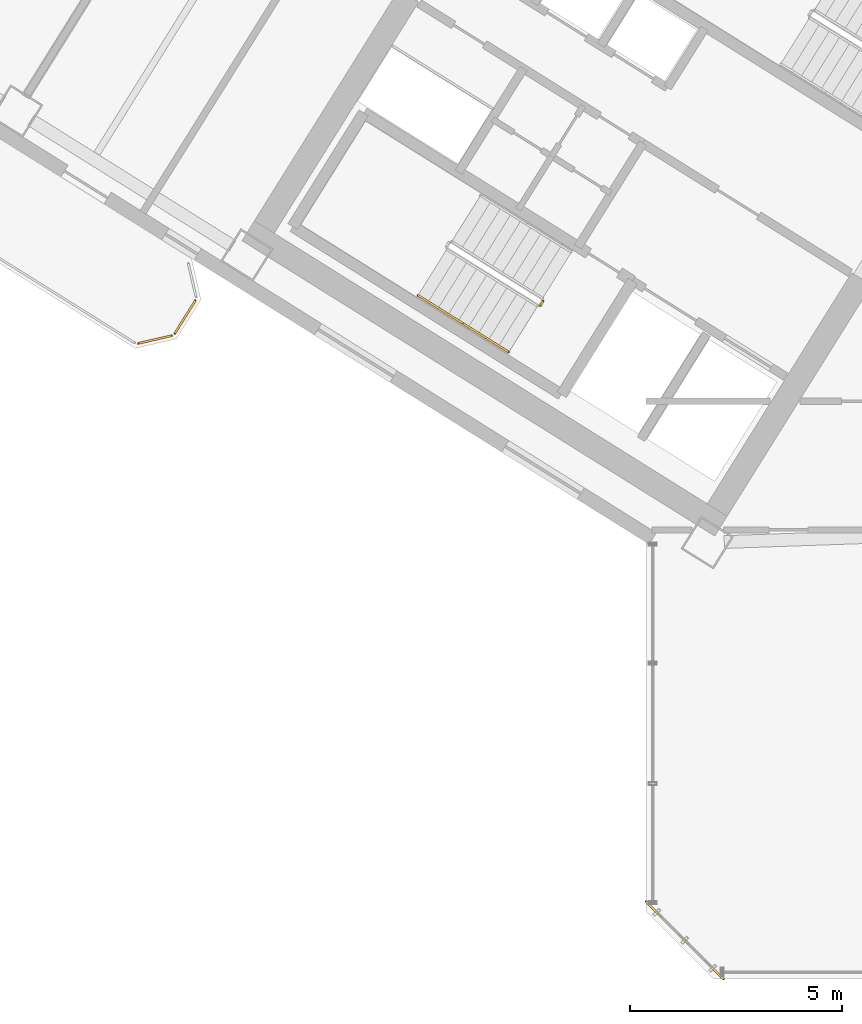
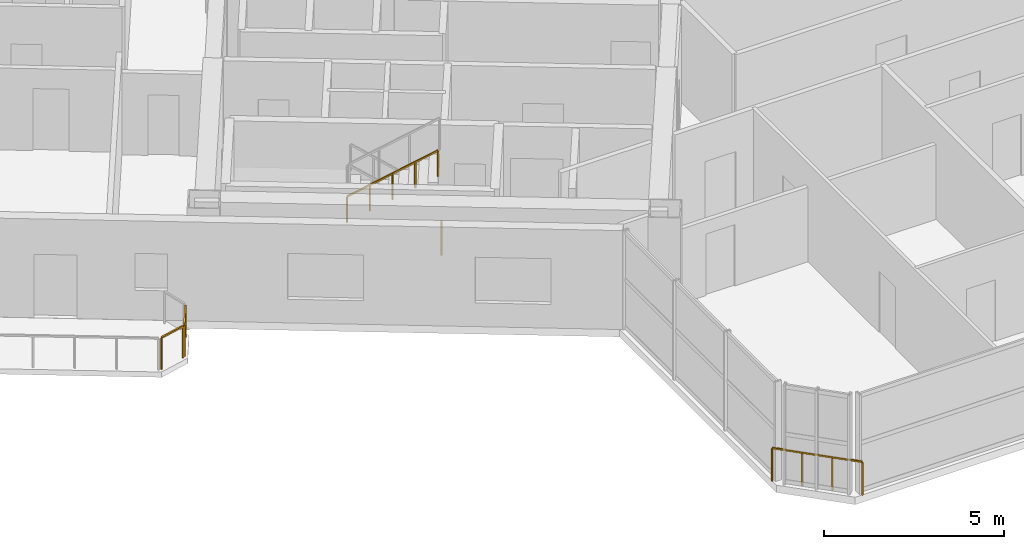
# One storey, part 17 of 20: 6 railings.
"""IFC4 building model written with IfcOpenShell, lengths in metres."""

from ifc_helpers import new_model, si_unit, direction, frame, origin, origin_2d, place, context, subcontext, project, spatial, rectangle, extrude, source, transform, mapped, material, type_object, element, save


model = new_model("IFC4")

# Units and contexts
model_context = context("Model", 3, precision=1e-05, world=origin(), true_north=direction((0.0, 1.0)))
body_context = subcontext(model_context, "Body", "Model", "MODEL_VIEW")
ifc_project = project(units=[si_unit("LENGTHUNIT", "METRE"), si_unit("AREAUNIT", "SQUARE_METRE"), si_unit("VOLUMEUNIT", "CUBIC_METRE"), si_unit("PLANEANGLEUNIT", "RADIAN"), si_unit("MASSUNIT", "GRAM", prefix="KILO")], contexts=[model_context])

# Site, building, storey
site_placement = place(None, origin())
site = spatial("IfcSite", under=ifc_project, at=site_placement, CompositionType="ELEMENT")
building_placement = place(site_placement, origin())
building = spatial("IfcBuilding", under=site, at=building_placement, Name="Tlacorven Tower", CompositionType="ELEMENT")
storey_placement = place(building_placement, frame((0.0, 0.0, 108.89990234375)))
storey = spatial("IfcBuildingStorey", under=building, at=storey_placement, Name="L27", CompositionType="ELEMENT", Elevation=108.89990234375)

# Railings
ifc_material = material(Name="Aluminium and painted steel balustrade", Category="steel")
railing_type_1 = type_object("IfcRailingType", Name="RL-BAL-1100", PredefinedType="BALUSTRADE", material=ifc_material)
shared_shape_1 = source(origin(), body_context, "Body", "SweptSolid", [
    extrude(rectangle(XDim=0.048095703125, YDim=0.048095703125, at=origin_2d()), frame((0.0, 0.0, 1.076171875), z_axis=(-0.52987865805, -0.848073468364, 0.0), x_axis=(0.848073468364, -0.52987865805, 0.0)), (0.0, 0.0, 1.0), 0.912353515625),
    extrude(rectangle(XDim=0.0419921875, YDim=0.0419921875, at=origin_2d()), origin(), (0.0, 0.0, 1.0), 1.052001953125),
    extrude(rectangle(XDim=0.0419921875, YDim=0.0419921875, at=origin_2d()), frame((-0.4833984375, -0.773681640625, 0.0)), (0.0, 0.0, 1.0), 1.052001953125),
])
railing_1_placement = place(storey_placement, frame((20.976318359375, 17.793701171875, 0.0)))
element("IfcRailing", 1, at=railing_1_placement, inside=storey, type_object=railing_type_1, Name="BAL-L27-W-OUT Guard Railing 2", PredefinedType="BALUSTRADE", context=body_context, shape_type="MappedRepresentation", body=[
    mapped(shared_shape_1, transform((0.0, 0.0, 0.0), scale=1.0)),
])
shared_shape_2 = source(origin(), body_context, "Body", "SweptSolid", [
    extrude(rectangle(XDim=0.048095703125, YDim=0.048095703125, at=origin_2d()), frame((0.0, 0.0, 1.076171875), z_axis=(-0.974345290916, -0.225058334816, 0.0), x_axis=(0.225058334816, -0.974345290916, 0.0)), (0.0, 0.0, 1.0), 0.80712890625),
    extrude(rectangle(XDim=0.0419921875, YDim=0.0419921875, at=origin_2d()), origin(), (0.0, 0.0, 1.0), 1.052001953125),
    extrude(rectangle(XDim=0.0419921875, YDim=0.0419921875, at=origin_2d()), frame((-0.786376953125, -0.181640625, 0.0)), (0.0, 0.0, 1.0), 1.052001953125),
])
railing_2_placement = place(storey_placement, frame((20.417724609375, 16.966552734375, 0.0)))
element("IfcRailing", 2, at=railing_2_placement, inside=storey, type_object=railing_type_1, Name="BAL-L27-W-OUT Guard Railing 3", PredefinedType="BALUSTRADE", context=body_context, shape_type="MappedRepresentation", body=[
    mapped(shared_shape_2, transform((0.0, 0.0, 0.0), scale=1.0)),
])
railing_type_2 = type_object("IfcRailingType", Name="RL-GRD-1150", PredefinedType="GUARDRAIL", material=ifc_material)
shared_shape_3 = source(origin(), body_context, "Body", "SweptSolid", [
    extrude(rectangle(XDim=0.048095703125, YDim=0.048095703125, at=origin_2d()), frame((0.0, 0.0, 1.1259765625), z_axis=(-0.707106781187, 0.707106781187, 0.0), x_axis=(-0.707106781187, -0.707106781187, 0.0)), (0.0, 0.0, 1.0), 2.590087890625),
    extrude(rectangle(XDim=0.0419921875, YDim=0.0419921875, at=origin_2d()), origin(), (0.0, 0.0, 1.0), 1.101806640625),
    extrude(rectangle(XDim=0.0419921875, YDim=0.0419921875, at=origin_2d()), frame((-0.610595703125, 0.610595703125, 0.0)), (0.0, 0.0, 1.0), 1.101806640625),
    extrude(rectangle(XDim=0.0419921875, YDim=0.0419921875, at=origin_2d()), frame((-1.220947265625, 1.220947265625, 0.0)), (0.0, 0.0, 1.0), 1.101806640625),
    extrude(rectangle(XDim=0.0419921875, YDim=0.0419921875, at=origin_2d()), frame((-1.83154296875, 1.83154296875, 0.0)), (0.0, 0.0, 1.0), 1.101806640625),
])
railing_3_placement = place(storey_placement, frame((33.428955078125, 1.79736328125, 0.0)))
element("IfcRailing", 3, at=railing_3_placement, inside=storey, type_object=railing_type_2, Name="L27 Knuckle Glazed Sill Guard 1", PredefinedType="GUARDRAIL", context=body_context, shape_type="MappedRepresentation", body=[
    mapped(shared_shape_3, transform((0.0, 0.0, 0.0), scale=1.0)),
])
railing_type_3 = type_object("IfcRailingType", Name="RL-GRD-1100", PredefinedType="GUARDRAIL", material=ifc_material)
shared_shape_4 = source(origin(), body_context, "Body", "SweptSolid", [
    extrude(rectangle(XDim=0.048095703125, YDim=0.048095703125, at=origin_2d()), frame((0.0, 0.0, 1.076171875), z_axis=(-0.529084052582, -0.848569422795, 0.0), x_axis=(0.848569422795, -0.529084052582, 0.0)), (0.0, 0.0, 1.0), 0.119873046875),
    extrude(rectangle(XDim=0.0419921875, YDim=0.0419921875, at=origin_2d()), origin(), (0.0, 0.0, 1.0), 1.052001953125),
    extrude(rectangle(XDim=0.0419921875, YDim=0.0419921875, at=origin_2d()), frame((-0.0634765625, -0.101806640625, 0.0)), (0.0, 0.0, 1.0), 1.052001953125),
])
railing_4_placement = place(storey_placement, frame((29.176513671875, 17.782958984375, 0.0)))
element("IfcRailing", 4, at=railing_4_placement, inside=storey, type_object=railing_type_3, Name="L27 ST-W1 stair guard 4", PredefinedType="GUARDRAIL", context=body_context, shape_type="MappedRepresentation", body=[
    mapped(shared_shape_4, transform((0.0, 0.0, 0.0), scale=1.0)),
])
railing_type_4 = type_object("IfcRailingType", Name="RL-HND-0900", PredefinedType="HANDRAIL", material=ifc_material)
shared_shape_5 = source(origin(), body_context, "Body", "SweptSolid", [
    extrude(rectangle(XDim=0.048095703125, YDim=0.048095703125, at=origin_2d()), frame((0.0, 0.0, 0.8759765625), z_axis=(0.713359751793, -0.4457479829, 0.540764828981), x_axis=(0.529911857636, 0.848052724267, 0.0)), (0.0, 0.0, 1.0), 1.498046875),
    extrude(rectangle(XDim=0.0419921875, YDim=0.0419921875, at=origin_2d()), origin(), (0.0, 0.0, 1.0), 0.851806640625),
    extrude(rectangle(XDim=0.0419921875, YDim=0.0419921875, at=origin_2d()), frame((0.5341796875, -0.333984375, 0.405029296875)), (0.0, 0.0, 1.0), 0.851806640625),
    extrude(rectangle(XDim=0.0419921875, YDim=0.0419921875, at=origin_2d()), frame((1.068603515625, -0.667724609375, 0.81005859375)), (0.0, 0.0, 1.0), 0.851806640625),
])
railing_5_placement = place(storey_placement, frame((26.228759765625, 17.915283203125, 1.97998046875)))
element("IfcRailing", 5, at=railing_5_placement, inside=storey, type_object=railing_type_4, Name="L27 ST-W1 stair handrail 3", PredefinedType="HANDRAIL", context=body_context, shape_type="MappedRepresentation", body=[
    mapped(shared_shape_5, transform((0.0, 0.0, 0.0), scale=1.0)),
])
shared_shape_6 = source(origin(), body_context, "Body", "SweptSolid", [
    extrude(rectangle(XDim=0.048095703125, YDim=0.048095703125, at=origin_2d()), frame((0.0, 0.0, 0.8759765625), z_axis=(0.713279695859, -0.445799809912, 0.540827703579), x_axis=(0.529998940003, 0.847998304005, 0.0)), (0.0, 0.0, 1.0), 1.497802734375),
    extrude(rectangle(XDim=0.0419921875, YDim=0.0419921875, at=origin_2d()), origin(), (0.0, 0.0, 1.0), 0.851806640625),
    extrude(rectangle(XDim=0.0419921875, YDim=0.0419921875, at=origin_2d()), frame((0.5341796875, -0.333984375, 0.405029296875)), (0.0, 0.0, 1.0), 0.851806640625),
    extrude(rectangle(XDim=0.0419921875, YDim=0.0419921875, at=origin_2d()), frame((1.068359375, -0.667724609375, 0.81005859375)), (0.0, 0.0, 1.0), 0.851806640625),
])
railing_6_placement = place(storey_placement, frame((27.29736328125, 17.24755859375, 2.7900390625)))
element("IfcRailing", 6, at=railing_6_placement, inside=storey, type_object=railing_type_4, Name="L27 ST-W1 stair handrail 4", PredefinedType="HANDRAIL", context=body_context, shape_type="MappedRepresentation", body=[
    mapped(shared_shape_6, transform((0.0, 0.0, 0.0), scale=1.0)),
])

save(model, "model.ifc")
